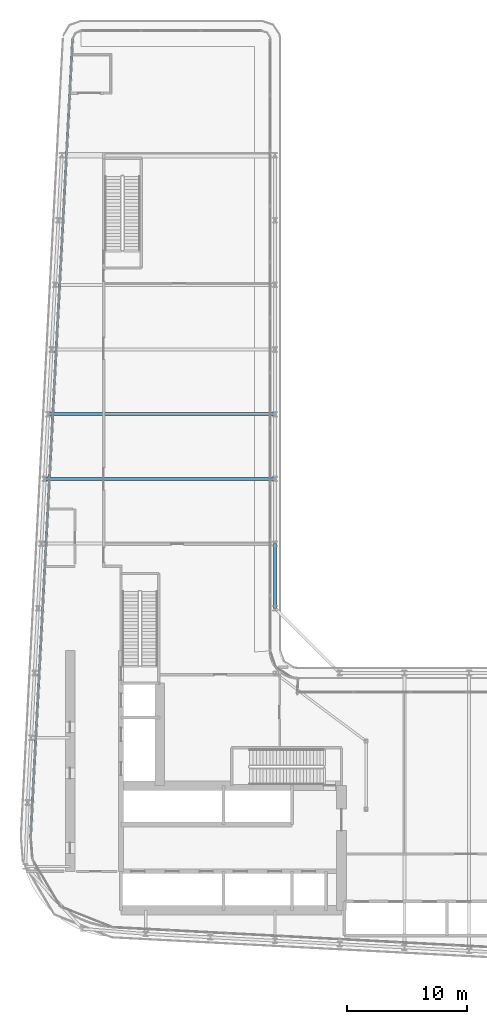
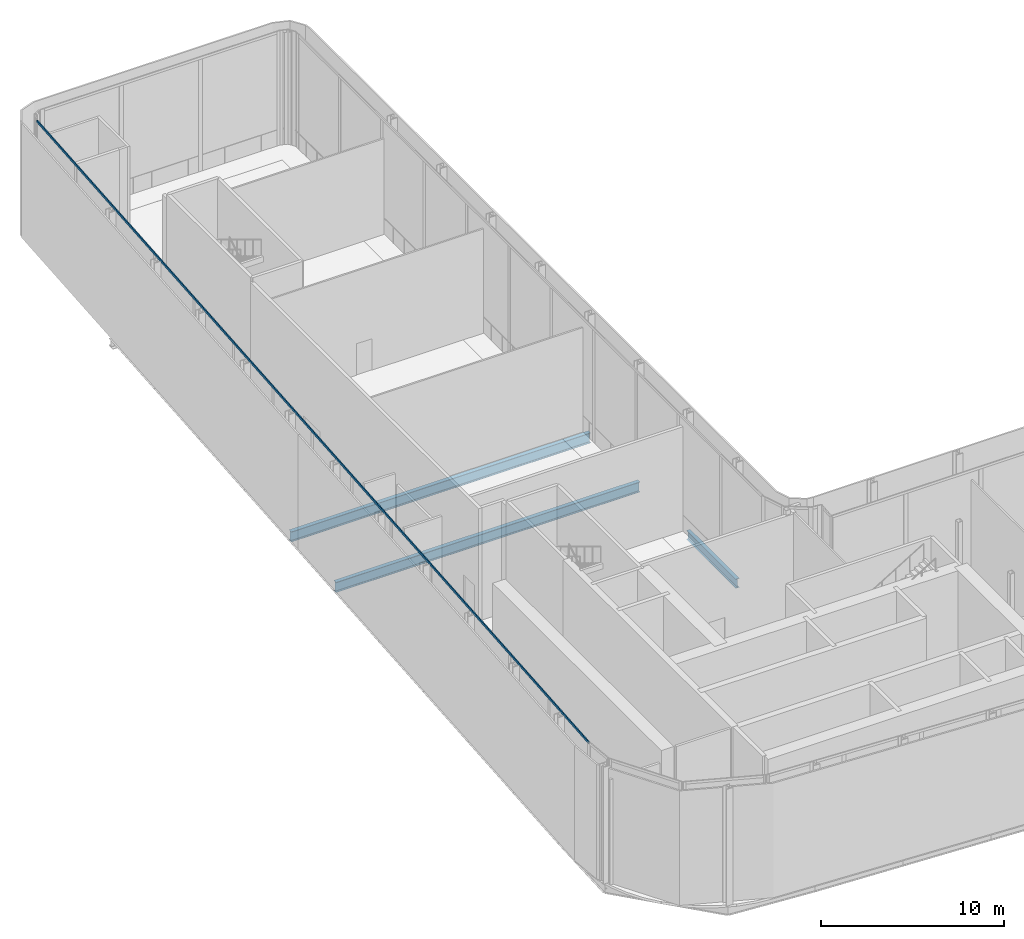
# One storey, part 13 of 37: 3 beams, 1 member, 1 element without a shape of its own.
"""IFC4 building model written with IfcOpenShell, lengths in metres."""

from ifc_helpers import new_model, si_unit, direction, frame, origin, origin_2d, place, context, subcontext, project, spatial, rectangle, i_section, extrude, material, layer, layer_set, material_profile, profile_set, type_object, element, aggregate, save


model = new_model("IFC4")

# Units and contexts
model_context = context("Model", 3, precision=1e-05, world=origin(), true_north=direction((0.0, 1.0)))
body_context = subcontext(model_context, "Body", "Model", "MODEL_VIEW")
ifc_project = project(units=[si_unit("LENGTHUNIT", "METRE"), si_unit("AREAUNIT", "SQUARE_METRE"), si_unit("VOLUMEUNIT", "CUBIC_METRE"), si_unit("PLANEANGLEUNIT", "RADIAN"), si_unit("MASSUNIT", "GRAM", prefix="KILO")], contexts=[model_context])

# Site, building, storey
site_placement = place(None, origin())
site = spatial("IfcSite", under=ifc_project, at=site_placement, CompositionType="ELEMENT")
building_placement = place(site_placement, origin())
building = spatial("IfcBuilding", under=site, at=building_placement, Name="Kheshtan School and Residences Tower", CompositionType="ELEMENT")
storey_placement = place(building_placement, frame((0.0, 0.0, 144.800048828125)))
storey = spatial("IfcBuildingStorey", under=building, at=storey_placement, Name="L34", CompositionType="ELEMENT", Elevation=144.800048828125)

# Beams
ifc_material_1 = material(Name="Steel ASTM A992 Grade 50", Category="steel")
ifc_material_profile_1 = material_profile(ifc_material_1, i_section(OverallWidth=0.2529296875, OverallDepth=0.677978515625, WebThickness=0.01171875, FlangeThickness=0.016357421875, FilletRadius=0.0146484375, at=origin_2d()), Name="W690x125")
ifc_profile_set_1 = profile_set([ifc_material_profile_1], Name="Steel ASTM A992 Grade 50")
beam_type_1 = type_object("IfcBeamType", Name="Beam FB6 W690x125 ASTM A992 Grade 50", PredefinedType="BEAM", material=ifc_profile_set_1)
beam_1_placement = place(storey_placement, frame((47.60009765625, 67.199951171875, -0.489013671875), z_axis=(-1.0, 0.0, 0.0), x_axis=(0.0, -1.0, 0.0)))
element("IfcBeam", 1, at=beam_1_placement, inside=storey, type_object=beam_type_1, Name="Floor beam C085", PredefinedType="BEAM", context=body_context, shape_type="SweptSolid", body=[
    extrude(i_section(OverallWidth=0.2529296875, OverallDepth=0.677978515625, WebThickness=0.01171875, FlangeThickness=0.016357421875, FilletRadius=0.0146484375, at=origin_2d()), origin(), (0.0, 0.0, 1.0), 18.926025390625),
])
beam_2_placement = place(storey_placement, frame((28.389892578125, 61.800048828125, -0.489013671875), z_axis=(1.0, 0.0, 0.0), x_axis=(0.0, 1.0, 0.0)))
element("IfcBeam", 2, at=beam_2_placement, inside=storey, type_object=beam_type_1, Name="Floor beam C082", PredefinedType="BEAM", context=body_context, shape_type="SweptSolid", body=[
    extrude(i_section(OverallWidth=0.2529296875, OverallDepth=0.677978515625, WebThickness=0.01171875, FlangeThickness=0.016357421875, FilletRadius=0.0146484375, at=origin_2d()), origin(), (0.0, 0.0, 1.0), 19.210205078125),
])
ifc_material_profile_2 = material_profile(ifc_material_1, i_section(OverallWidth=0.22802734375, OverallDepth=0.60302734375, WebThickness=0.010498046875, FlangeThickness=0.014892578125, FilletRadius=0.013427734375, at=origin_2d()), Name="W610x101")
ifc_profile_set_2 = profile_set([ifc_material_profile_2], Name="Steel ASTM A992 Grade 50")
beam_type_2 = type_object("IfcBeamType", Name="Beam SP2 W610x101 ASTM A992 Grade 50", PredefinedType="BEAM", material=ifc_profile_set_2)
beam_3_placement = place(storey_placement, frame((47.60009765625, 56.39990234375, -0.45166015625), z_axis=(0.0, -1.0, 0.0), x_axis=(1.0, 0.0, 0.0)))
element("IfcBeam", 3, at=beam_3_placement, inside=storey, type_object=beam_type_2, Name="Spandrel beam C081-C079", PredefinedType="BEAM", context=body_context, shape_type="SweptSolid", body=[
    extrude(i_section(OverallWidth=0.22802734375, OverallDepth=0.60302734375, WebThickness=0.010498046875, FlangeThickness=0.014892578125, FilletRadius=0.013427734375, at=origin_2d()), origin(), (0.0, 0.0, 1.0), 5.39990234375),
])

# Curtain wall, member
ifc_material_2 = material(Name="Clear low-e glass in thermally broken aluminium frame", Category="aluminium")
ifc_layer = layer(ifc_material_2, 0.25)
ifc_layer_set = layer_set([ifc_layer], Name="Curtain wall CW-K")
curtain_wall_type = type_object("IfcCurtainWallType", Name="Curtain wall CW-K", PredefinedType="NOTDEFINED", material=ifc_layer_set)
curtain_wall_placement = place(storey_placement, origin())
curtain_wall = element("IfcCurtainWall", 4, at=curtain_wall_placement, inside=storey, type_object=curtain_wall_type, Name="Curtain wall CWK18", PredefinedType="NOTDEFINED")
ifc_material_3 = material(Name="Thermally broken aluminium, dark bronze anodised", Category="aluminium")
ifc_material_profile_3 = material_profile(ifc_material_3, rectangle(XDim=0.06005859375, YDim=0.159912109375, at=origin_2d()), Name="CW-K transom 60x160")
ifc_profile_set_3 = profile_set([ifc_material_profile_3], Name="Thermally broken aluminium, dark bronze anodised")
member_type = type_object("IfcMemberType", Name="CW-K transom 60x160", PredefinedType="USERDEFINED", material=ifc_profile_set_3)
member_placement = place(storey_placement, frame((27.219482421875, 31.963623046875, 7.570068359375), z_axis=(0.052565184819, 0.998617495012, 0.0), x_axis=(-0.998617495012, 0.052565184819, 0.0)))
member = element("IfcMember", 5, at=member_placement, type_object=member_type, Name="CWK18 transom 1", ObjectType="TRANSOM", PredefinedType="USERDEFINED", context=body_context, shape_type="SweptSolid", body=[
    extrude(rectangle(XDim=0.06005859375, YDim=0.159912109375, at=origin_2d()), origin(), (0.0, 0.0, 1.0), 66.57470703125),
])
aggregate(curtain_wall, [member])

save(model, "model.ifc")
